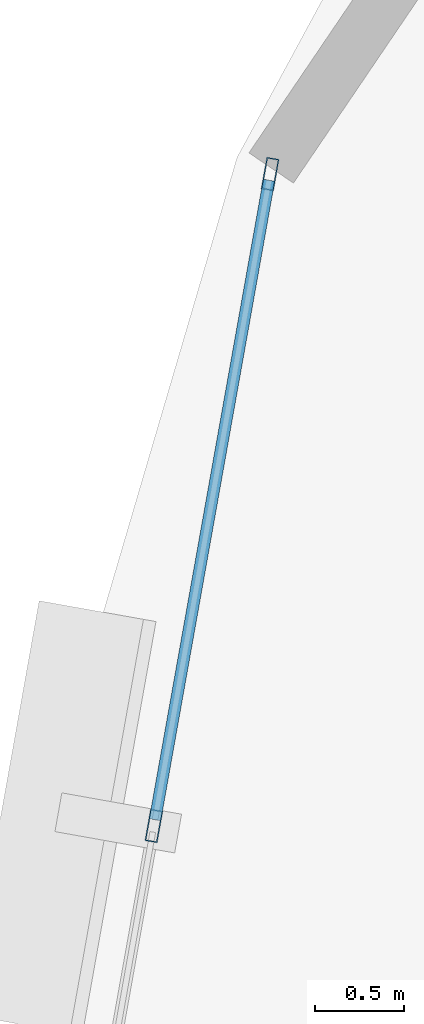
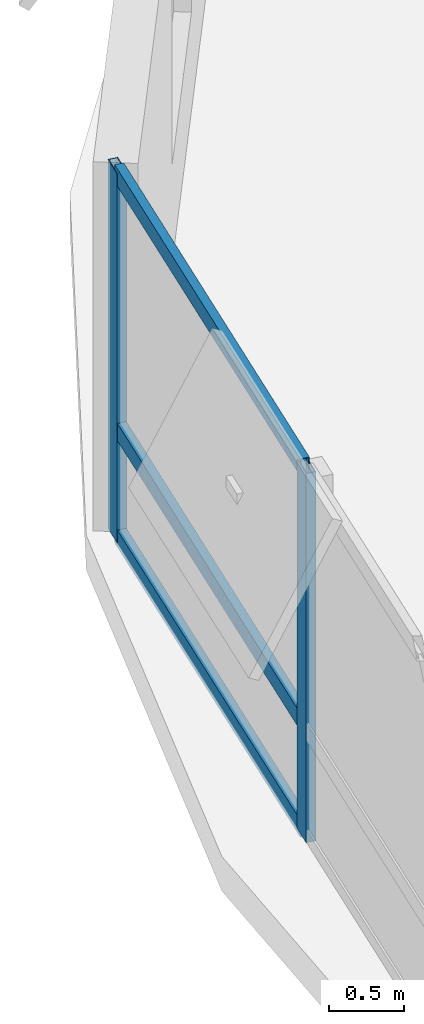
# One storey, part 6 of 16: 5 members, 1 element without a shape of its own.
"""IFC4 building model written with IfcOpenShell, lengths in metres."""

import ifcopenshell
import ifcopenshell.guid

model = None  # the IFC model being written
_history = None  # IfcOwnerHistory: only IFC2X3 demands one
_inside = {}  # id of a spatial element -> (the spatial element, [elements in it])
_under = {}  # id of a project, library or spatial element -> (it, [spatial elements below it])
_declared = {}  # id of a project -> (the project, [libraries it declares])
_typed = {}  # id of a type object -> (the type object, [elements of that type])
_made_of = {}  # id of a material, layer set ... -> (it, [elements and type objects made of it])


def new_model(schema):
    """Start an empty IFC model of exactly this schema.

    Asked for "IFC4X3", IfcOpenShell would pick the latest addendum, in which some entities
    have other attributes; the version numbers below select the first issue.
    IFC2X3 requires an IfcOwnerHistory on every rooted entity: one is made here for all.
    """
    global model, _history
    if schema == "IFC4X3":
        model = ifcopenshell.file(schema_version=(4, 3, 0, 0))
    else:
        model = ifcopenshell.file(schema=schema)
    _inside.clear()
    _under.clear()
    _declared.clear()
    _typed.clear()
    _made_of.clear()
    _history = None
    if model.schema == "IFC2X3":
        org = make("IfcOrganization", Name="unknown")
        user = make(
            "IfcPersonAndOrganization",
            ThePerson=make("IfcPerson", FamilyName="unknown"),
            TheOrganization=org,
        )
        app = make(
            "IfcApplication",
            ApplicationDeveloper=org,
            Version="unknown",
            ApplicationFullName="unknown",
            ApplicationIdentifier="unknown",
        )
        _history = make(
            "IfcOwnerHistory",
            OwningUser=user,
            OwningApplication=app,
            ChangeAction="ADDED",
            CreationDate=0,
        )
    return model


def make(cls, **values):
    """One entity of the class cls with the attributes given. An attribute that is None is left unset."""
    return model.create_entity(
        cls, **{name: value for name, value in values.items() if value is not None}
    )


def rooted(cls, **values):
    """An entity with a GlobalId (a new one), such as an element, a storey or a relation."""
    return make(cls, GlobalId=ifcopenshell.guid.new(), OwnerHistory=_history, **values)


def si_unit(unit_type, name, prefix=None):
    """IfcSIUnit, for example si_unit("LENGTHUNIT", "METRE", prefix="MILLI")."""
    return make("IfcSIUnit", UnitType=unit_type, Prefix=prefix, Name=name)


def assignment(units):
    """IfcUnitAssignment: the units of a project."""
    return None if units is None else make("IfcUnitAssignment", Units=units)


def point(xyz):
    """IfcCartesianPoint."""
    return None if xyz is None else make("IfcCartesianPoint", Coordinates=xyz)


def direction(xyz):
    """IfcDirection."""
    return None if xyz is None else make("IfcDirection", DirectionRatios=xyz)


def frame(location, z_axis=None, x_axis=None):
    """IfcAxis2Placement3D, a coordinate frame: its origin and axes. An axis left out is left unset."""
    return make(
        "IfcAxis2Placement3D",
        Location=point(location),
        Axis=direction(z_axis),
        RefDirection=direction(x_axis),
    )


def frame_2d(location, x_axis=None):
    """IfcAxis2Placement2D, a coordinate frame in the plane: its origin and x axis."""
    return make(
        "IfcAxis2Placement2D", Location=point(location), RefDirection=direction(x_axis)
    )


def origin():
    """The frame at (0, 0, 0) with its axes left unset."""
    return frame((0.0, 0.0, 0.0))


def origin_2d():
    """The frame at (0, 0) in the plane with its x axis left unset."""
    return frame_2d((0.0, 0.0))


def place(relative_to, where):
    """IfcLocalPlacement: puts the frame where relative to a parent placement (None: the world)."""
    return make(
        "IfcLocalPlacement", PlacementRelTo=relative_to, RelativePlacement=where
    )


def context(
    kind, dimensions, precision=None, world=None, true_north=None, identifier=None
):
    """IfcGeometricRepresentationContext, for example the 3D "Model" context."""
    return make(
        "IfcGeometricRepresentationContext",
        ContextIdentifier=identifier,
        ContextType=kind,
        CoordinateSpaceDimension=dimensions,
        Precision=precision,
        WorldCoordinateSystem=world,
        TrueNorth=true_north,
    )


def subcontext(parent, identifier, kind, view, scale=None):
    """IfcGeometricRepresentationSubContext, for example "Body" below "Model"."""
    return make(
        "IfcGeometricRepresentationSubContext",
        ContextIdentifier=identifier,
        ContextType=kind,
        ParentContext=parent,
        TargetScale=scale,
        TargetView=view,
    )


def project(units=None, contexts=None):
    """IfcProject with its units and contexts."""
    return rooted(
        "IfcProject",
        Name="project",
        RepresentationContexts=contexts,
        UnitsInContext=assignment(units),
    )


def spatial(cls, under=None, at=None, **own):
    """A site, building, storey or space (cls), placed at a placement, below another one or the project."""
    s = rooted(cls, ObjectPlacement=at, **own)
    if under is not None:
        _under.setdefault(under.id(), (under, []))[1].append(s)
    return s


def profile(cls, at=None, kind="AREA", **sizes):
    """A parametric profile (cls). Its sizes go by their IFC names, for example OverallWidth=200.0."""
    return make(cls, ProfileType=kind, Position=at, **sizes)


def hollow_rectangle(**sizes):
    """IfcRectangleHollowProfileDef."""
    return profile("IfcRectangleHollowProfileDef", **sizes)


def extrude(swept, where, along, depth):
    """IfcExtrudedAreaSolid: the profile swept, set in the frame where, extruded along a direction by depth."""
    return make(
        "IfcExtrudedAreaSolid",
        SweptArea=swept,
        Position=where,
        ExtrudedDirection=direction(along),
        Depth=depth,
    )


def shape(context_of_items, identifier, shape_type, items):
    """IfcShapeRepresentation: the items that make up one representation, for example the "Body"."""
    return make(
        "IfcShapeRepresentation",
        ContextOfItems=context_of_items,
        RepresentationIdentifier=identifier,
        RepresentationType=shape_type,
        Items=items,
    )


def material(Name=None, Category=None):
    """IfcMaterial."""
    return make("IfcMaterial", Name=Name, Category=Category)


def layer(
    of_material, thickness, ventilated=None, Name=None, Category=None, Priority=None
):
    """IfcMaterialLayer: one layer of a wall or slab, of a material (None: an air gap)."""
    return make(
        "IfcMaterialLayer",
        Material=of_material,
        LayerThickness=thickness,
        IsVentilated=ventilated,
        Name=Name,
        Category=Category,
        Priority=Priority,
    )


def layer_set(layers, Name=None):
    """IfcMaterialLayerSet."""
    return make("IfcMaterialLayerSet", MaterialLayers=layers, LayerSetName=Name)


def material_profile(
    of_material, cross_section, Name=None, Category=None, Priority=None
):
    """IfcMaterialProfile: a cross section and its material."""
    return make(
        "IfcMaterialProfile",
        Name=Name,
        Material=of_material,
        Profile=cross_section,
        Priority=Priority,
        Category=Category,
    )


def profile_set(profiles, Name=None, composite=None):
    """IfcMaterialProfileSet."""
    return make(
        "IfcMaterialProfileSet",
        Name=Name,
        MaterialProfiles=profiles,
        CompositeProfile=composite,
    )


def made_of(thing, what):
    """Note that an element or type object is made of a material, layer set ...; save() writes the relation."""
    if what is not None:
        _made_of.setdefault(what.id(), (what, []))[1].append(thing)
    return thing


def type_object(cls, material=None, **own):
    """A type object (cls), such as IfcWallType, which elements share."""
    return made_of(rooted(cls, **own), material)


def element(
    cls,
    number,
    at=None,
    inside=None,
    cuts=None,
    type_object=None,
    material=None,
    context=None,
    identifier="Body",
    shape_type=None,
    held_by="IfcProductDefinitionShape",
    body=None,
    shapes=None,
    **own,
):
    """One element of the class cls, such as IfcWall. Its Tag is "e" and its number.

    at: its placement. inside: the storey or other place that contains it. cuts: it is an
    opening in that element (IfcRelVoidsElement). A single representation is given by context,
    identifier, shape_type and body (its items); several are given by shapes. held_by: the class
    of the entity that holds the representations. save() writes the other relations.
    """
    e = rooted(cls, Tag="e%d" % number, ObjectPlacement=at, **own)
    if body is not None:
        shapes = [shape(context, identifier, shape_type, body)]
    if shapes is not None:
        e.Representation = make(held_by, Representations=shapes)
    if inside is not None:
        _inside.setdefault(inside.id(), (inside, []))[1].append(e)
    if cuts is not None:
        rooted(
            "IfcRelVoidsElement", RelatingBuildingElement=cuts, RelatedOpeningElement=e
        )
    if type_object is not None:
        _typed.setdefault(type_object.id(), (type_object, []))[1].append(e)
    return made_of(e, material)


def aggregate(whole, parts):
    """IfcRelAggregates: a whole, such as a stair, and the parts it consists of."""
    return rooted("IfcRelAggregates", RelatingObject=whole, RelatedObjects=parts)


def save(model, path):
    """Write the relations noted so far, then the file.

    IfcRelAggregates (storeys below a building ...), IfcRelContainedInSpatialStructure (elements
    in a storey), IfcRelDefinesByType, IfcRelAssociatesMaterial and IfcRelDeclares: one each for
    every whole, place, type object, material and project.
    """
    for whole, parts in _under.values():
        aggregate(whole, parts)
    for where, things in _inside.values():
        rooted(
            "IfcRelContainedInSpatialStructure",
            RelatedElements=things,
            RelatingStructure=where,
        )
    for kind, things in _typed.values():
        rooted("IfcRelDefinesByType", RelatedObjects=things, RelatingType=kind)
    for what, things in _made_of.values():
        rooted("IfcRelAssociatesMaterial", RelatedObjects=things, RelatingMaterial=what)
    for by, libraries in _declared.values():
        rooted("IfcRelDeclares", RelatingContext=by, RelatedDefinitions=libraries)
    model.write(path)


model = new_model("IFC4")

# Units and contexts
model_context = context("Model", 3, precision=1e-05, world=origin(), true_north=direction((0.0, 1.0)))
body_context = subcontext(model_context, "Body", "Model", "MODEL_VIEW")
ifc_project = project(units=[si_unit("LENGTHUNIT", "METRE"), si_unit("AREAUNIT", "SQUARE_METRE"), si_unit("VOLUMEUNIT", "CUBIC_METRE"), si_unit("PLANEANGLEUNIT", "RADIAN"), si_unit("MASSUNIT", "GRAM", prefix="KILO"), si_unit("THERMODYNAMICTEMPERATUREUNIT", "KELVIN"), si_unit("POWERUNIT", "WATT")], contexts=[model_context])

# Site, building, storey
site_placement = place(None, origin())
site = spatial("IfcSite", under=ifc_project, at=site_placement, CompositionType="ELEMENT")
building_placement = place(site_placement, origin())
building = spatial("IfcBuilding", under=site, at=building_placement, Name="Ocrelia Relay Tower", CompositionType="ELEMENT")
storey_placement = place(building_placement, frame((0.0, 0.0, 42.60009765625)))
storey = spatial("IfcBuildingStorey", under=building, at=storey_placement, Name="L09", CompositionType="ELEMENT", Elevation=42.60009765625)

# Curtain wall, members
ifc_material_1 = material(Name="Aluminium and solar-control low-E glass", Category="aluminium")
ifc_layer = layer(ifc_material_1, 0.179931640625, Name="Aluminium and solar-control low-E glass")
ifc_layer_set = layer_set([ifc_layer], Name="Aluminium and solar-control low-E glass")
curtain_wall_type = type_object("IfcCurtainWallType", Name="CW-SYS-Z1-DATA", PredefinedType="NOTDEFINED", material=ifc_layer_set)
curtain_wall_placement = place(storey_placement, origin())
curtain_wall = element("IfcCurtainWall", 1, at=curtain_wall_placement, inside=storey, type_object=curtain_wall_type, Name="L09 Elliptical Tower Curtain Wall Bay 09", PredefinedType="NOTDEFINED")
ifc_material_2 = material(Name="Anodised bronze aluminium", Category="aluminium")
ifc_material_profile_1 = material_profile(ifc_material_2, hollow_rectangle(XDim=0.070068359375, YDim=0.179931640625, WallThickness=0.006103515625, at=origin_2d()), Name="CW-MUL-180x70")
ifc_profile_set_1 = profile_set([ifc_material_profile_1], Name="Anodised bronze aluminium")
member_type_1 = type_object("IfcMemberType", Name="CW-SYS-Z1-DATA-MUL", PredefinedType="MULLION", material=ifc_profile_set_1)
member_1_placement = place(storey_placement, frame((7.54052734375, 31.942626953125, 0.0), z_axis=(0.0, 0.0, 1.0), x_axis=(0.984473344975, -0.175534136375, 0.0)))
member_1 = element("IfcMember", 2, at=member_1_placement, type_object=member_type_1, Name="CW-Z1 mullion 1", PredefinedType="MULLION", context=body_context, shape_type="SweptSolid", body=[
    extrude(hollow_rectangle(XDim=0.070068359375, YDim=0.179931640625, WallThickness=0.006103515625, at=origin_2d()), origin(), (0.0, 0.0, 1.0), 3.0),
])
member_2_placement = place(storey_placement, frame((6.890380859375, 28.29736328125, 0.0), z_axis=(0.0, 0.0, 1.0), x_axis=(0.984473344975, -0.175534136375, 0.0)))
member_2 = element("IfcMember", 3, at=member_2_placement, type_object=member_type_1, Name="CW-Z1 mullion 2", PredefinedType="MULLION", context=body_context, shape_type="SweptSolid", body=[
    extrude(hollow_rectangle(XDim=0.070068359375, YDim=0.179931640625, WallThickness=0.006103515625, at=origin_2d()), origin(), (0.0, 0.0, 1.0), 3.0),
])
ifc_material_profile_2 = material_profile(ifc_material_2, hollow_rectangle(XDim=0.06494140625, YDim=0.139892578125, WallThickness=0.0048828125, at=origin_2d()), Name="CW-TRN-140x65")
ifc_profile_set_2 = profile_set([ifc_material_profile_2], Name="Anodised bronze aluminium")
member_type_2 = type_object("IfcMemberType", Name="CW-SYS-Z1-DATA-TRN", PredefinedType="USERDEFINED", material=ifc_profile_set_2)
member_3_placement = place(storey_placement, frame((7.534423828125, 31.908203125, 0.032470703125), z_axis=(-0.175537101252, -0.984472816326, 0.0), x_axis=(0.984472816326, -0.175537101252, 0.0)))
member_3 = element("IfcMember", 4, at=member_3_placement, type_object=member_type_2, Name="CW-Z1 transom 1.1", ObjectType="TRANSOM", PredefinedType="USERDEFINED", context=body_context, shape_type="SweptSolid", body=[
    extrude(hollow_rectangle(XDim=0.06494140625, YDim=0.139892578125, WallThickness=0.0048828125, at=origin_2d()), origin(), (0.0, 0.0, 1.0), 3.6328125),
])
member_4_placement = place(storey_placement, frame((7.534423828125, 31.908203125, 0.89990234375), z_axis=(-0.175537101252, -0.984472816326, 0.0), x_axis=(0.984472816326, -0.175537101252, 0.0)))
member_4 = element("IfcMember", 5, at=member_4_placement, type_object=member_type_2, Name="CW-Z1 transom 1.2", ObjectType="TRANSOM", PredefinedType="USERDEFINED", context=body_context, shape_type="SweptSolid", body=[
    extrude(hollow_rectangle(XDim=0.06494140625, YDim=0.139892578125, WallThickness=0.0048828125, at=origin_2d()), origin(), (0.0, 0.0, 1.0), 3.6328125),
])
member_5_placement = place(storey_placement, frame((7.534423828125, 31.908203125, 2.96728515625), z_axis=(-0.175537101252, -0.984472816326, 0.0), x_axis=(0.984472816326, -0.175537101252, 0.0)))
member_5 = element("IfcMember", 6, at=member_5_placement, type_object=member_type_2, Name="CW-Z1 transom 1.3", ObjectType="TRANSOM", PredefinedType="USERDEFINED", context=body_context, shape_type="SweptSolid", body=[
    extrude(hollow_rectangle(XDim=0.06494140625, YDim=0.139892578125, WallThickness=0.0048828125, at=origin_2d()), origin(), (0.0, 0.0, 1.0), 3.6328125),
])
aggregate(curtain_wall, [member_1, member_2, member_3, member_4, member_5])

save(model, "model.ifc")
